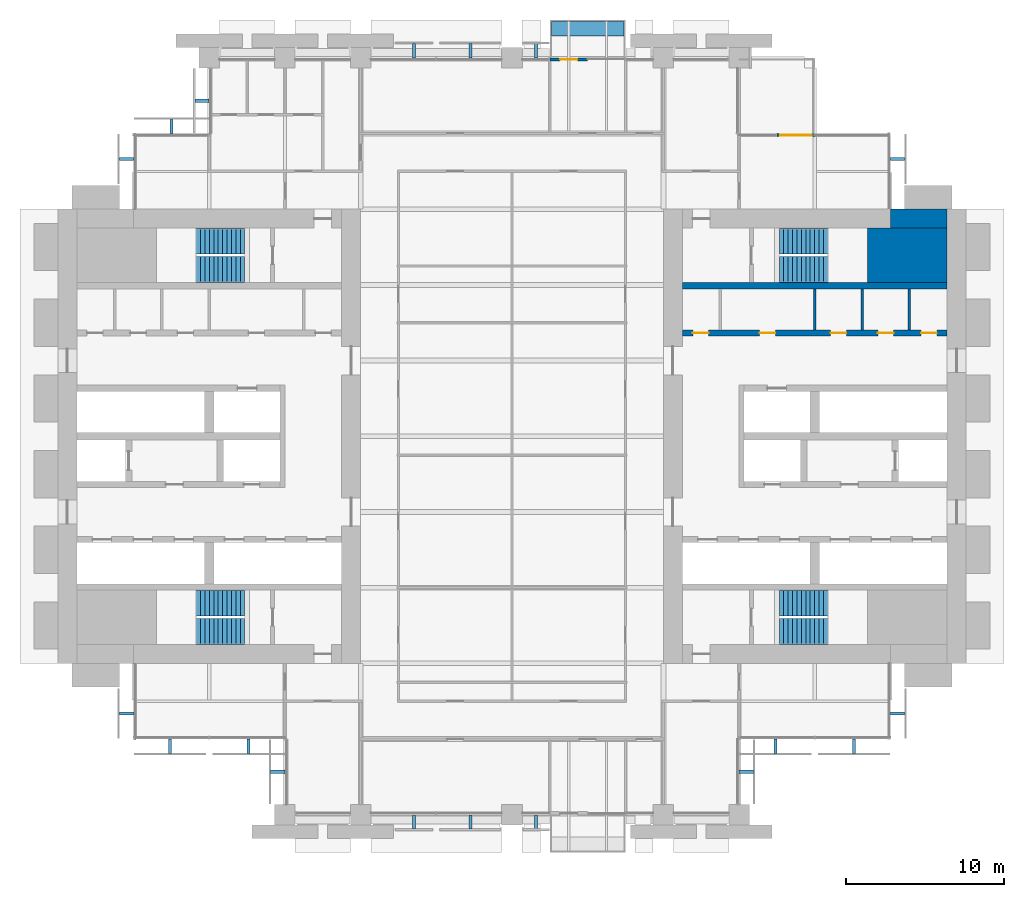
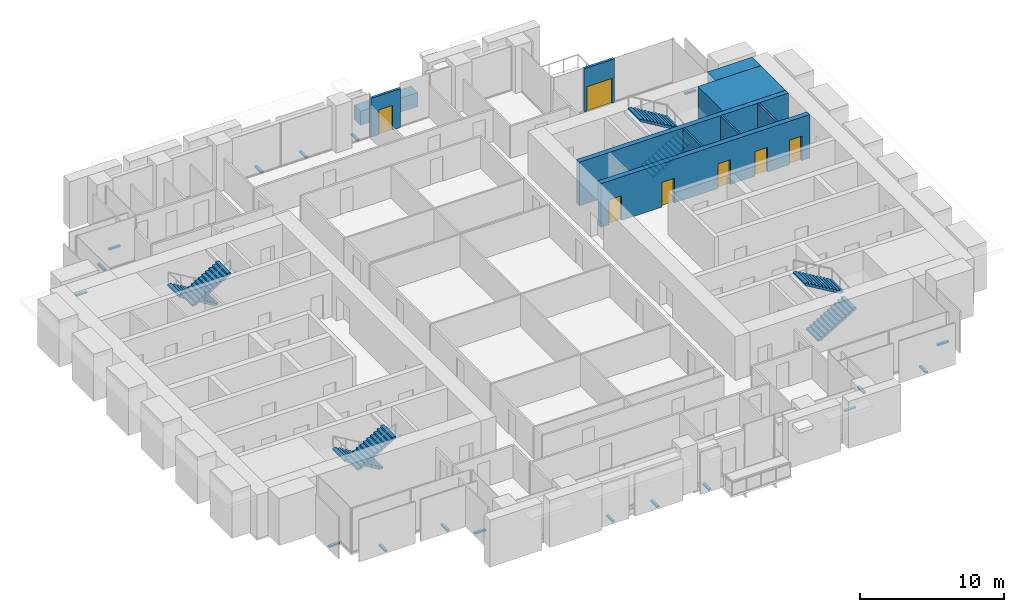
# One storey, part 13 of 15: 18 discrete accessories, 10 walls, 8 stair flights, 7 doors, 7 openings, 4 elements without a shape of their own.
"""IFC4 building model written with IfcOpenShell, lengths in metres."""

from ifc_helpers import new_model, si_unit, direction, frame, frame_2d, origin, origin_2d, place, context, subcontext, project, spatial, polyline, rectangle, outline, extrude, material, layer, layer_set, type_object, element, fill, aggregate, save


model = new_model("IFC4")

# Units and contexts
model_context = context("Model", 3, precision=1e-05, world=origin(), true_north=direction((0.0, 1.0)))
body_context = subcontext(model_context, "Body", "Model", "MODEL_VIEW")
ifc_project = project(units=[si_unit("LENGTHUNIT", "METRE"), si_unit("AREAUNIT", "SQUARE_METRE"), si_unit("VOLUMEUNIT", "CUBIC_METRE"), si_unit("PLANEANGLEUNIT", "RADIAN"), si_unit("MASSUNIT", "GRAM", prefix="KILO")], contexts=[model_context])

# Site, building, storey
site_placement = place(None, origin())
site = spatial("IfcSite", under=ifc_project, at=site_placement, CompositionType="ELEMENT")
building_placement = place(site_placement, origin())
building = spatial("IfcBuilding", under=site, at=building_placement, Name="Baori Bourse Tower", CompositionType="ELEMENT")
storey_placement = place(building_placement, frame((0.0, 0.0, 83.0)))
storey = spatial("IfcBuildingStorey", under=building, at=storey_placement, Name="L18", CompositionType="ELEMENT", Elevation=83.0)

# Walls
ifc_material_1 = material(Name="Concrete f'c 70 MPa", Category="concrete")
wall_type_1 = type_object("IfcWallType", Name="Core corner block f'c 70", PredefinedType="SHEAR", material=ifc_material_1)
wall_1_placement = place(storey_placement, frame((51.35009765625, 35.47509765625, 0.0), z_axis=(0.0, 0.0, 1.0), x_axis=(1.0, 0.0, 0.0)))
element("IfcWall", 1, at=wall_1_placement, inside=storey, type_object=wall_type_1, Name="Core wall E23", PredefinedType="SHEAR", context=body_context, shape_type="SweptSolid", body=[
    extrude(rectangle(XDim=5.0498046875, YDim=3.449951171875, at=frame_2d((2.52490234375, 0.0))), origin(), (0.0, 0.0, 1.0), 3.699951171875),
])
ifc_material_2 = material(Name="Blockwork partition", Category="masonry")
ifc_layer_1 = layer(ifc_material_2, 0.14990234375)
ifc_layer_set_1 = layer_set([ifc_layer_1], Name="Core partition 150")
wall_type_2 = type_object("IfcWallType", Name="Core partition 150", PredefinedType="PARTITIONING", material=ifc_layer_set_1)
for number, where, z_axis, x_axis, name in (
    (2, (54.0, 30.75, 0.0), (0.0, 0.0, 1.0), (0.0, 1.0, 0.0), "Partition wall E18"),
    (3, (51.0, 30.75, 0.0), (0.0, 0.0, 1.0), (0.0, 1.0, 0.0), "Partition wall E19"),
    (4, (48.0, 30.75, 0.0), (0.0, 0.0, 1.0), (0.0, 1.0, 0.0), "Partition wall E20"),
):
    element("IfcWall", number, at=place(storey_placement, frame(where, z_axis=z_axis, x_axis=x_axis)), inside=storey, type_object=wall_type_2, Name=name, PredefinedType="PARTITIONING", context=body_context, shape_type="SweptSolid", body=[
        extrude(rectangle(XDim=2.60009765625, YDim=0.14990234375, at=frame_2d((1.300048828125, 0.0))), origin(), (0.0, 0.0, 1.0), 3.699951171875),
    ])
ifc_material_3 = material(Name="Concrete f'c 70 MPa", Category="concrete")
ifc_layer_2 = layer(ifc_material_3, 1.199951171875)
ifc_layer_set_2 = layer_set([ifc_layer_2], Name="Core wall 1200 f'c 70")
wall_type_3 = type_object("IfcWallType", Name="Core wall 1200 f'c 70", PredefinedType="SHEAR", material=ifc_layer_set_2)
wall_2_placement = place(storey_placement, frame((52.800048828125, 37.800048828125, 0.0), z_axis=(0.0, 0.0, 1.0), x_axis=(1.0, 0.0, 0.0)))
element("IfcWall", 5, at=wall_2_placement, inside=storey, type_object=wall_type_3, Name="Core wall E25", PredefinedType="SHEAR", context=body_context, shape_type="SweptSolid", body=[
    extrude(rectangle(XDim=3.599853515625, YDim=1.199951171875, at=frame_2d((1.7998046875, 0.0))), origin(), (0.0, 0.0, 1.0), 3.699951171875),
])

# Wall, opening, door
ifc_material_4 = material(Name="Pale anodised aluminium", Category="aluminium")
ifc_layer_3 = layer(ifc_material_4, 0.199951171875)
ifc_layer_set_3 = layer_set([ifc_layer_3], Name="EW1 External wall bay")
wall_type_4 = type_object("IfcWallType", Name="EW1 External wall bay", PredefinedType="SOLIDWALL", material=ifc_layer_set_3)
wall_3_placement = place(storey_placement, frame((48.0, 43.10009765625, 0.0), z_axis=(0.0, 0.0, 1.0), x_axis=(-1.0, 0.0, 0.0)))
wall_3 = element("IfcWall", 6, at=wall_3_placement, inside=storey, type_object=wall_type_4, Name="External wall bay L18 1", PredefinedType="SOLIDWALL", context=body_context, shape_type="SweptSolid", body=[
    extrude(rectangle(XDim=2.39990234375, YDim=0.199951171875, at=frame_2d((1.199951171875, 0.0))), origin(), (0.0, 0.0, 1.0), 3.699951171875),
])
opening_1_placement = place(wall_3_placement, frame((0.199951171875, 0.0, 0.0)))
opening_1 = element("IfcOpeningElement", 7, at=opening_1_placement, cuts=wall_3, Name="Opening L18-D91", PredefinedType="OPENING", context=body_context, shape_type="SweptSolid", body=[
    extrude(rectangle(XDim=2.0, YDim=2.10009765625, at=frame_2d((1.0, 1.050048828125))), frame((0.0, 0.10986328125, 0.0), z_axis=(0.0, -1.0, 0.0), x_axis=(1.0, 0.0, 0.0)), (0.0, 0.0, 1.0), 0.219970703125),
])
ifc_material_5 = material(Name="Pale anodised aluminium", Category="aluminium")
door_type_1 = type_object("IfcDoorType", Name="TR1 Terrace door", OperationType="DOUBLE_DOOR_SINGLE_SWING", PredefinedType="DOOR", material=ifc_material_5)
door_1_placement = place(opening_1_placement, origin())
door_1 = element("IfcDoor", 8, at=door_1_placement, inside=storey, type_object=door_type_1, Name="Terrace door L18 1", OperationType="SINGLE_SWING_LEFT", OverallHeight=2.10009765625, OverallWidth=2.0, PredefinedType="DOOR", context=body_context, shape_type="SweptSolid", body=[
    extrude(rectangle(XDim=2.0, YDim=2.10009765625, at=frame_2d((1.0, 1.050048828125))), frame((0.0, 0.02490234375, 0.0), z_axis=(0.0, -1.0, 0.0), x_axis=(1.0, 0.0, 0.0)), (0.0, 0.0, 1.0), 0.050048828125),
])
fill(opening_1, door_1)

wall_4_placement = place(storey_placement, frame((33.60009765625, 47.89990234375, 0.0), z_axis=(0.0, 0.0, 1.0), x_axis=(-1.0, 0.0, 0.0)))
wall_4 = element("IfcWall", 9, at=wall_4_placement, inside=storey, type_object=wall_type_4, Name="External wall bay L18 2", PredefinedType="SOLIDWALL", context=body_context, shape_type="SweptSolid", body=[
    extrude(rectangle(XDim=2.400146484375, YDim=0.199951171875, at=frame_2d((1.2001953125, 0.0))), origin(), (0.0, 0.0, 1.0), 3.30126953125),
])
opening_2_placement = place(wall_4_placement, frame((0.64990234375, 0.0, 0.0)))
opening_2 = element("IfcOpeningElement", 10, at=opening_2_placement, cuts=wall_4, Name="Opening L18-D92", PredefinedType="OPENING", context=body_context, shape_type="SweptSolid", body=[
    extrude(rectangle(XDim=1.10009765625, YDim=2.10009765625, at=frame_2d((0.550048828125, 1.050048828125))), frame((0.0, 0.10986328125, 0.0), z_axis=(0.0, -1.0, 0.0), x_axis=(1.0, 0.0, 0.0)), (0.0, 0.0, 1.0), 0.219970703125),
])
ifc_material_6 = material(Name="Pale anodised aluminium", Category="aluminium")
door_type_2 = type_object("IfcDoorType", Name="BL1 Balcony door", OperationType="SINGLE_SWING_LEFT", PredefinedType="DOOR", material=ifc_material_6)
door_2_placement = place(opening_2_placement, origin())
door_2 = element("IfcDoor", 11, at=door_2_placement, inside=storey, type_object=door_type_2, Name="Balcony door L18 2", OperationType="SINGLE_SWING_LEFT", OverallHeight=2.10009765625, OverallWidth=1.10009765625, PredefinedType="DOOR", context=body_context, shape_type="SweptSolid", body=[
    extrude(rectangle(XDim=1.10009765625, YDim=2.10009765625, at=frame_2d((0.550048828125, 1.050048828125))), frame((0.0, 0.02490234375, 0.0), z_axis=(0.0, -1.0, 0.0), x_axis=(1.0, 0.0, 0.0)), (0.0, 0.0, 1.0), 0.050048828125),
])
fill(opening_2, door_2)

# Wall
ifc_material_7 = material(Name="Concrete f'c 40 MPa", Category="concrete")
ifc_layer_4 = layer(ifc_material_7, 0.89990234375)
ifc_layer_set_4 = layer_set([ifc_layer_4], Name="PW1 Planter wall")
wall_type_5 = type_object("IfcWallType", Name="PW1 Planter wall", PredefinedType="USERDEFINED", material=ifc_layer_set_4)
wall_5_placement = place(storey_placement, frame((31.300048828125, 49.85009765625, 0.0), z_axis=(0.0, 0.0, 1.0), x_axis=(1.0, 0.0, 0.0)))
element("IfcWall", 12, at=wall_5_placement, inside=storey, type_object=wall_type_5, Name="Planter balcony N L18 2", ObjectType="PLANTER", PredefinedType="USERDEFINED", context=body_context, shape_type="SweptSolid", body=[
    extrude(rectangle(XDim=4.599853515625, YDim=0.89990234375, at=frame_2d((2.2998046875, 0.0))), origin(), (0.0, 0.0, 1.0), 1.199951171875),
])

# Wall, openings, doors
ifc_material_8 = material(Name="Concrete f'c 70 MPa", Category="concrete")
ifc_layer_5 = layer(ifc_material_8, 0.39990234375)
ifc_layer_set_5 = layer_set([ifc_layer_5], Name="Shaft wall 400 f'c 70")
wall_type_6 = type_object("IfcWallType", Name="Shaft wall 400 f'c 70", PredefinedType="SHEAR", material=ifc_layer_set_5)
wall_6_placement = place(storey_placement, frame((39.60009765625, 30.550048828125, 0.0), z_axis=(0.0, 0.0, 1.0), x_axis=(1.0, 0.0, 0.0)))
wall_6 = element("IfcWall", 13, at=wall_6_placement, inside=storey, type_object=wall_type_6, Name="Core wall E17", PredefinedType="SHEAR", context=body_context, shape_type="SweptSolid", body=[
    extrude(rectangle(XDim=16.7998046875, YDim=0.39990234375, at=frame_2d((8.39990234375, 0.0))), origin(), (0.0, 0.0, 1.0), 3.699951171875),
])
opening_3_placement = place(wall_6_placement, frame((15.137451171875, 0.0, 0.0)))
opening_3 = element("IfcOpeningElement", 14, at=opening_3_placement, cuts=wall_6, Name="Opening L18-D209", PredefinedType="OPENING", context=body_context, shape_type="SweptSolid", body=[
    extrude(rectangle(XDim=1.0, YDim=2.10009765625, at=frame_2d((0.5, 1.050048828125))), frame((0.0, 0.2099609375, 0.0), z_axis=(0.0, -1.0, 0.0), x_axis=(1.0, 0.0, 0.0)), (0.0, 0.0, 1.0), 0.419921875),
])
opening_4_placement = place(wall_6_placement, frame((12.39990234375, 0.0, 0.0)))
opening_4 = element("IfcOpeningElement", 15, at=opening_4_placement, cuts=wall_6, Name="Opening L18-D210", PredefinedType="OPENING", context=body_context, shape_type="SweptSolid", body=[
    extrude(rectangle(XDim=1.0, YDim=2.10009765625, at=frame_2d((0.5, 1.050048828125))), frame((0.0, 0.2099609375, 0.0), z_axis=(0.0, -1.0, 0.0), x_axis=(1.0, 0.0, 0.0)), (0.0, 0.0, 1.0), 0.419921875),
])
opening_5_placement = place(wall_6_placement, frame((9.39990234375, 0.0, 0.0)))
opening_5 = element("IfcOpeningElement", 16, at=opening_5_placement, cuts=wall_6, Name="Opening L18-D211", PredefinedType="OPENING", context=body_context, shape_type="SweptSolid", body=[
    extrude(rectangle(XDim=1.0, YDim=2.10009765625, at=frame_2d((0.5, 1.050048828125))), frame((0.0, 0.2099609375, 0.0), z_axis=(0.0, -1.0, 0.0), x_axis=(1.0, 0.0, 0.0)), (0.0, 0.0, 1.0), 0.419921875),
])
opening_6_placement = place(wall_6_placement, frame((4.89990234375, 0.0, 0.0)))
opening_6 = element("IfcOpeningElement", 17, at=opening_6_placement, cuts=wall_6, Name="Opening L18-D212", PredefinedType="OPENING", context=body_context, shape_type="SweptSolid", body=[
    extrude(rectangle(XDim=1.0, YDim=2.10009765625, at=frame_2d((0.5, 1.050048828125))), frame((0.0, 0.2099609375, 0.0), z_axis=(0.0, -1.0, 0.0), x_axis=(1.0, 0.0, 0.0)), (0.0, 0.0, 1.0), 0.419921875),
])
opening_7_placement = place(wall_6_placement, frame((0.66259765625, 0.0, 0.0)))
opening_7 = element("IfcOpeningElement", 18, at=opening_7_placement, cuts=wall_6, Name="Opening L18-D213", PredefinedType="OPENING", context=body_context, shape_type="SweptSolid", body=[
    extrude(rectangle(XDim=1.0, YDim=2.10009765625, at=frame_2d((0.5, 1.050048828125))), frame((0.0, 0.2099609375, 0.0), z_axis=(0.0, -1.0, 0.0), x_axis=(1.0, 0.0, 0.0)), (0.0, 0.0, 1.0), 0.419921875),
])
ifc_material_9 = material(Name="Painted steel door", Category="steel")
door_type_3 = type_object("IfcDoorType", Name="Core door 1000", OperationType="SINGLE_SWING_LEFT", PredefinedType="DOOR", material=ifc_material_9)
door_3_placement = place(opening_3_placement, origin())
door_3 = element("IfcDoor", 19, at=door_3_placement, inside=storey, type_object=door_type_3, Name="Janitor'S Closet door E L18", OperationType="SINGLE_SWING_LEFT", OverallHeight=2.10009765625, OverallWidth=1.0, PredefinedType="DOOR", context=body_context, shape_type="SweptSolid", body=[
    extrude(rectangle(XDim=1.0, YDim=2.10009765625, at=frame_2d((0.5, 1.050048828125))), frame((0.0, 0.02490234375, 0.0), z_axis=(0.0, -1.0, 0.0), x_axis=(1.0, 0.0, 0.0)), (0.0, 0.0, 1.0), 0.050048828125),
])
fill(opening_3, door_3)
door_4_placement = place(opening_4_placement, origin())
door_4 = element("IfcDoor", 20, at=door_4_placement, inside=storey, type_object=door_type_3, Name="Women'S Wc door E L18", OperationType="SINGLE_SWING_LEFT", OverallHeight=2.10009765625, OverallWidth=1.0, PredefinedType="DOOR", context=body_context, shape_type="SweptSolid", body=[
    extrude(rectangle(XDim=1.0, YDim=2.10009765625, at=frame_2d((0.5, 1.050048828125))), frame((0.0, 0.02490234375, 0.0), z_axis=(0.0, -1.0, 0.0), x_axis=(1.0, 0.0, 0.0)), (0.0, 0.0, 1.0), 0.050048828125),
])
fill(opening_4, door_4)
door_5_placement = place(opening_5_placement, origin())
door_5 = element("IfcDoor", 21, at=door_5_placement, inside=storey, type_object=door_type_3, Name="Accessible Wc door E L18", OperationType="SINGLE_SWING_LEFT", OverallHeight=2.10009765625, OverallWidth=1.0, PredefinedType="DOOR", context=body_context, shape_type="SweptSolid", body=[
    extrude(rectangle(XDim=1.0, YDim=2.10009765625, at=frame_2d((0.5, 1.050048828125))), frame((0.0, 0.02490234375, 0.0), z_axis=(0.0, -1.0, 0.0), x_axis=(1.0, 0.0, 0.0)), (0.0, 0.0, 1.0), 0.050048828125),
])
fill(opening_5, door_5)
door_6_placement = place(opening_6_placement, origin())
door_6 = element("IfcDoor", 22, at=door_6_placement, inside=storey, type_object=door_type_3, Name="Men'S Wc door E L18", OperationType="SINGLE_SWING_LEFT", OverallHeight=2.10009765625, OverallWidth=1.0, PredefinedType="DOOR", context=body_context, shape_type="SweptSolid", body=[
    extrude(rectangle(XDim=1.0, YDim=2.10009765625, at=frame_2d((0.5, 1.050048828125))), frame((0.0, 0.02490234375, 0.0), z_axis=(0.0, -1.0, 0.0), x_axis=(1.0, 0.0, 0.0)), (0.0, 0.0, 1.0), 0.050048828125),
])
fill(opening_6, door_6)
door_7_placement = place(opening_7_placement, origin())
door_7 = element("IfcDoor", 23, at=door_7_placement, inside=storey, type_object=door_type_3, Name="Pantry door E L18", OperationType="SINGLE_SWING_LEFT", OverallHeight=2.10009765625, OverallWidth=1.0, PredefinedType="DOOR", context=body_context, shape_type="SweptSolid", body=[
    extrude(rectangle(XDim=1.0, YDim=2.10009765625, at=frame_2d((0.5, 1.050048828125))), frame((0.0, 0.02490234375, 0.0), z_axis=(0.0, -1.0, 0.0), x_axis=(1.0, 0.0, 0.0)), (0.0, 0.0, 1.0), 0.050048828125),
])
fill(opening_7, door_7)

# Wall
wall_7_placement = place(storey_placement, frame((39.60009765625, 33.550048828125, 0.0), z_axis=(0.0, 0.0, 1.0), x_axis=(1.0, 0.0, 0.0)))
element("IfcWall", 24, at=wall_7_placement, inside=storey, type_object=wall_type_6, Name="Core wall E22", PredefinedType="SHEAR", context=body_context, shape_type="SweptSolid", body=[
    extrude(rectangle(XDim=16.7998046875, YDim=0.39990234375, at=frame_2d((8.39990234375, 0.0))), origin(), (0.0, 0.0, 1.0), 3.699951171875),
])

# Stair, stair flights
ifc_material_10 = material(Name="Concrete f'c 50 MPa", Category="concrete")
stair_type = type_object("IfcStairType", Name="Core stair", PredefinedType="HALF_TURN_STAIR", material=ifc_material_10)
stair_1_placement = place(storey_placement, origin())
stair_1 = element("IfcStair", 25, at=stair_1_placement, inside=storey, type_object=stair_type, Name="L18 Stair WA", PredefinedType="HALF_TURN_STAIR")
ifc_material_11 = material(Name="Concrete f'c 50 MPa", Category="concrete")
stair_flight_type = type_object("IfcStairFlightType", Name="Core stair flight", PredefinedType="STRAIGHT", material=ifc_material_11)
stair_flight_1_placement = place(storey_placement, frame((11.85009765625, 13.425048828125, 0.0), z_axis=(0.0, 0.0, 1.0), x_axis=(-1.0, 0.0, 0.0)))
stair_flight_1 = element("IfcStairFlight", 26, at=stair_flight_1_placement, type_object=stair_flight_type, Name="ST1 flight 1", NumberOfRisers=12, NumberOfTreads=11, PredefinedType="STRAIGHT", RiserHeight=0.166666667, TreadLength=0.28, context=body_context, shape_type="SweptSolid", body=[
    extrude(outline(polyline([(0.0, 0.0), (0.0, 0.166748046875), (0.280029296875, 0.166748046875), (0.280029296875, 0.333251953125), (0.56005859375, 0.333251953125), (0.56005859375, 0.5), (0.840087890625, 0.5), (0.840087890625, 0.666748046875), (1.1201171875, 0.666748046875), (1.1201171875, 0.833251953125), (1.39990234375, 0.833251953125), (1.39990234375, 1.0), (1.679931640625, 1.0), (1.679931640625, 1.166748046875), (1.9599609375, 1.166748046875), (1.9599609375, 1.333251953125), (2.239990234375, 1.333251953125), (2.239990234375, 1.5), (2.52001953125, 1.5), (2.52001953125, 1.666748046875), (2.800048828125, 1.666748046875), (2.800048828125, 1.833251953125), (3.080078125, 1.833251953125), (3.080078125, 2.0), (3.080078125, 1.658935546875), (0.29296875, 0.0), (0.0, 0.0)])), frame((0.0, 0.824951171875, 0.0), z_axis=(0.0, -1.0, 0.0), x_axis=(1.0, 0.0, 0.0)), (0.0, 0.0, 1.0), 1.64990234375),
])
stair_flight_2_placement = place(storey_placement, frame((8.77001953125, 11.625, 2.0), z_axis=(0.0, 0.0, 1.0), x_axis=(1.0, 0.0, 0.0)))
stair_flight_2 = element("IfcStairFlight", 27, at=stair_flight_2_placement, type_object=stair_flight_type, Name="ST1 flight 2", NumberOfRisers=12, NumberOfTreads=11, PredefinedType="STRAIGHT", RiserHeight=0.166666667, TreadLength=0.28, context=body_context, shape_type="SweptSolid", body=[
    extrude(outline(polyline([(0.0, 0.0), (0.0, 0.166748046875), (0.280029296875, 0.166748046875), (0.280029296875, 0.333251953125), (0.56005859375, 0.333251953125), (0.56005859375, 0.5), (0.840087890625, 0.5), (0.840087890625, 0.666748046875), (1.1201171875, 0.666748046875), (1.1201171875, 0.833251953125), (1.39990234375, 0.833251953125), (1.39990234375, 1.0), (1.679931640625, 1.0), (1.679931640625, 1.166748046875), (1.9599609375, 1.166748046875), (1.9599609375, 1.333251953125), (2.239990234375, 1.333251953125), (2.239990234375, 1.5), (2.52001953125, 1.5), (2.52001953125, 1.666748046875), (2.800048828125, 1.666748046875), (2.800048828125, 1.833251953125), (3.080078125, 1.833251953125), (3.080078125, 2.0), (3.080078125, 1.658935546875), (0.29296875, 0.0), (0.0, 0.0)])), frame((0.0, 0.824951171875, 0.0), z_axis=(0.0, -1.0, 0.0), x_axis=(1.0, 0.0, 0.0)), (0.0, 0.0, 1.0), 1.64990234375),
])
aggregate(stair_1, [stair_flight_1, stair_flight_2])

stair_2_placement = place(storey_placement, origin())
stair_2 = element("IfcStair", 28, at=stair_2_placement, inside=storey, type_object=stair_type, Name="L18 Stair WB", PredefinedType="HALF_TURN_STAIR")
stair_flight_3_placement = place(storey_placement, frame((11.85009765625, 36.375, 0.0), z_axis=(0.0, 0.0, 1.0), x_axis=(-1.0, 0.0, 0.0)))
stair_flight_3 = element("IfcStairFlight", 29, at=stair_flight_3_placement, type_object=stair_flight_type, Name="ST2 flight 1", NumberOfRisers=12, NumberOfTreads=11, PredefinedType="STRAIGHT", RiserHeight=0.166666667, TreadLength=0.28, context=body_context, shape_type="SweptSolid", body=[
    extrude(outline(polyline([(0.0, 0.0), (0.0, 0.166748046875), (0.280029296875, 0.166748046875), (0.280029296875, 0.333251953125), (0.56005859375, 0.333251953125), (0.56005859375, 0.5), (0.840087890625, 0.5), (0.840087890625, 0.666748046875), (1.1201171875, 0.666748046875), (1.1201171875, 0.833251953125), (1.39990234375, 0.833251953125), (1.39990234375, 1.0), (1.679931640625, 1.0), (1.679931640625, 1.166748046875), (1.9599609375, 1.166748046875), (1.9599609375, 1.333251953125), (2.239990234375, 1.333251953125), (2.239990234375, 1.5), (2.52001953125, 1.5), (2.52001953125, 1.666748046875), (2.800048828125, 1.666748046875), (2.800048828125, 1.833251953125), (3.080078125, 1.833251953125), (3.080078125, 2.0), (3.080078125, 1.658935546875), (0.29296875, 0.0), (0.0, 0.0)])), frame((0.0, 0.824951171875, 0.0), z_axis=(0.0, -1.0, 0.0), x_axis=(1.0, 0.0, 0.0)), (0.0, 0.0, 1.0), 1.64990234375),
])
stair_flight_4_placement = place(storey_placement, frame((8.77001953125, 34.574951171875, 2.0), z_axis=(0.0, 0.0, 1.0), x_axis=(1.0, 0.0, 0.0)))
stair_flight_4 = element("IfcStairFlight", 30, at=stair_flight_4_placement, type_object=stair_flight_type, Name="ST2 flight 2", NumberOfRisers=12, NumberOfTreads=11, PredefinedType="STRAIGHT", RiserHeight=0.166666667, TreadLength=0.28, context=body_context, shape_type="SweptSolid", body=[
    extrude(outline(polyline([(0.0, 0.0), (0.0, 0.166748046875), (0.280029296875, 0.166748046875), (0.280029296875, 0.333251953125), (0.56005859375, 0.333251953125), (0.56005859375, 0.5), (0.840087890625, 0.5), (0.840087890625, 0.666748046875), (1.1201171875, 0.666748046875), (1.1201171875, 0.833251953125), (1.39990234375, 0.833251953125), (1.39990234375, 1.0), (1.679931640625, 1.0), (1.679931640625, 1.166748046875), (1.9599609375, 1.166748046875), (1.9599609375, 1.333251953125), (2.239990234375, 1.333251953125), (2.239990234375, 1.5), (2.52001953125, 1.5), (2.52001953125, 1.666748046875), (2.800048828125, 1.666748046875), (2.800048828125, 1.833251953125), (3.080078125, 1.833251953125), (3.080078125, 2.0), (3.080078125, 1.658935546875), (0.29296875, 0.0), (0.0, 0.0)])), frame((0.0, 0.824951171875, 0.0), z_axis=(0.0, -1.0, 0.0), x_axis=(1.0, 0.0, 0.0)), (0.0, 0.0, 1.0), 1.64990234375),
])
aggregate(stair_2, [stair_flight_3, stair_flight_4])

stair_3_placement = place(storey_placement, origin())
stair_3 = element("IfcStair", 31, at=stair_3_placement, inside=storey, type_object=stair_type, Name="L18 Stair EA", PredefinedType="HALF_TURN_STAIR")
stair_flight_5_placement = place(storey_placement, frame((45.75, 11.625, 0.0), z_axis=(0.0, 0.0, 1.0), x_axis=(1.0, 0.0, 0.0)))
stair_flight_5 = element("IfcStairFlight", 32, at=stair_flight_5_placement, type_object=stair_flight_type, Name="ST3 flight 1", NumberOfRisers=12, NumberOfTreads=11, PredefinedType="STRAIGHT", RiserHeight=0.166666667, TreadLength=0.28, context=body_context, shape_type="SweptSolid", body=[
    extrude(outline(polyline([(0.0, 0.0), (0.0, 0.166748046875), (0.280029296875, 0.166748046875), (0.280029296875, 0.333251953125), (0.56005859375, 0.333251953125), (0.56005859375, 0.5), (0.840087890625, 0.5), (0.840087890625, 0.666748046875), (1.1201171875, 0.666748046875), (1.1201171875, 0.833251953125), (1.39990234375, 0.833251953125), (1.39990234375, 1.0), (1.679931640625, 1.0), (1.679931640625, 1.166748046875), (1.9599609375, 1.166748046875), (1.9599609375, 1.333251953125), (2.239990234375, 1.333251953125), (2.239990234375, 1.5), (2.52001953125, 1.5), (2.52001953125, 1.666748046875), (2.800048828125, 1.666748046875), (2.800048828125, 1.833251953125), (3.080078125, 1.833251953125), (3.080078125, 2.0), (3.080078125, 1.658935546875), (0.29296875, 0.0), (0.0, 0.0)])), frame((0.0, 0.824951171875, 0.0), z_axis=(0.0, -1.0, 0.0), x_axis=(1.0, 0.0, 0.0)), (0.0, 0.0, 1.0), 1.64990234375),
])
stair_flight_6_placement = place(storey_placement, frame((48.830078125, 13.425048828125, 2.0), z_axis=(0.0, 0.0, 1.0), x_axis=(-1.0, 0.0, 0.0)))
stair_flight_6 = element("IfcStairFlight", 33, at=stair_flight_6_placement, type_object=stair_flight_type, Name="ST3 flight 2", NumberOfRisers=12, NumberOfTreads=11, PredefinedType="STRAIGHT", RiserHeight=0.166666667, TreadLength=0.28, context=body_context, shape_type="SweptSolid", body=[
    extrude(outline(polyline([(0.0, 0.0), (0.0, 0.166748046875), (0.280029296875, 0.166748046875), (0.280029296875, 0.333251953125), (0.56005859375, 0.333251953125), (0.56005859375, 0.5), (0.840087890625, 0.5), (0.840087890625, 0.666748046875), (1.1201171875, 0.666748046875), (1.1201171875, 0.833251953125), (1.39990234375, 0.833251953125), (1.39990234375, 1.0), (1.679931640625, 1.0), (1.679931640625, 1.166748046875), (1.9599609375, 1.166748046875), (1.9599609375, 1.333251953125), (2.239990234375, 1.333251953125), (2.239990234375, 1.5), (2.52001953125, 1.5), (2.52001953125, 1.666748046875), (2.800048828125, 1.666748046875), (2.800048828125, 1.833251953125), (3.080078125, 1.833251953125), (3.080078125, 2.0), (3.080078125, 1.658935546875), (0.29296875, 0.0), (0.0, 0.0)])), frame((0.0, 0.824951171875, 0.0), z_axis=(0.0, -1.0, 0.0), x_axis=(1.0, 0.0, 0.0)), (0.0, 0.0, 1.0), 1.64990234375),
])
aggregate(stair_3, [stair_flight_5, stair_flight_6])

stair_4_placement = place(storey_placement, origin())
stair_4 = element("IfcStair", 34, at=stair_4_placement, inside=storey, type_object=stair_type, Name="L18 Stair EB", PredefinedType="HALF_TURN_STAIR")
stair_flight_7_placement = place(storey_placement, frame((45.75, 34.574951171875, 0.0), z_axis=(0.0, 0.0, 1.0), x_axis=(1.0, 0.0, 0.0)))
stair_flight_7 = element("IfcStairFlight", 35, at=stair_flight_7_placement, type_object=stair_flight_type, Name="ST4 flight 1", NumberOfRisers=12, NumberOfTreads=11, PredefinedType="STRAIGHT", RiserHeight=0.166666667, TreadLength=0.28, context=body_context, shape_type="SweptSolid", body=[
    extrude(outline(polyline([(0.0, 0.0), (0.0, 0.166748046875), (0.280029296875, 0.166748046875), (0.280029296875, 0.333251953125), (0.56005859375, 0.333251953125), (0.56005859375, 0.5), (0.840087890625, 0.5), (0.840087890625, 0.666748046875), (1.1201171875, 0.666748046875), (1.1201171875, 0.833251953125), (1.39990234375, 0.833251953125), (1.39990234375, 1.0), (1.679931640625, 1.0), (1.679931640625, 1.166748046875), (1.9599609375, 1.166748046875), (1.9599609375, 1.333251953125), (2.239990234375, 1.333251953125), (2.239990234375, 1.5), (2.52001953125, 1.5), (2.52001953125, 1.666748046875), (2.800048828125, 1.666748046875), (2.800048828125, 1.833251953125), (3.080078125, 1.833251953125), (3.080078125, 2.0), (3.080078125, 1.658935546875), (0.29296875, 0.0), (0.0, 0.0)])), frame((0.0, 0.824951171875, 0.0), z_axis=(0.0, -1.0, 0.0), x_axis=(1.0, 0.0, 0.0)), (0.0, 0.0, 1.0), 1.64990234375),
])
stair_flight_8_placement = place(storey_placement, frame((48.830078125, 36.375, 2.0), z_axis=(0.0, 0.0, 1.0), x_axis=(-1.0, 0.0, 0.0)))
stair_flight_8 = element("IfcStairFlight", 36, at=stair_flight_8_placement, type_object=stair_flight_type, Name="ST4 flight 2", NumberOfRisers=12, NumberOfTreads=11, PredefinedType="STRAIGHT", RiserHeight=0.166666667, TreadLength=0.28, context=body_context, shape_type="SweptSolid", body=[
    extrude(outline(polyline([(0.0, 0.0), (0.0, 0.166748046875), (0.280029296875, 0.166748046875), (0.280029296875, 0.333251953125), (0.56005859375, 0.333251953125), (0.56005859375, 0.5), (0.840087890625, 0.5), (0.840087890625, 0.666748046875), (1.1201171875, 0.666748046875), (1.1201171875, 0.833251953125), (1.39990234375, 0.833251953125), (1.39990234375, 1.0), (1.679931640625, 1.0), (1.679931640625, 1.166748046875), (1.9599609375, 1.166748046875), (1.9599609375, 1.333251953125), (2.239990234375, 1.333251953125), (2.239990234375, 1.5), (2.52001953125, 1.5), (2.52001953125, 1.666748046875), (2.800048828125, 1.666748046875), (2.800048828125, 1.833251953125), (3.080078125, 1.833251953125), (3.080078125, 2.0), (3.080078125, 1.658935546875), (0.29296875, 0.0), (0.0, 0.0)])), frame((0.0, 0.824951171875, 0.0), z_axis=(0.0, -1.0, 0.0), x_axis=(1.0, 0.0, 0.0)), (0.0, 0.0, 1.0), 1.64990234375),
])
aggregate(stair_4, [stair_flight_7, stair_flight_8])

# Discrete accessories
ifc_material_12 = material(Name="Pale anodised aluminium", Category="aluminium")
discrete_accessory_type = type_object("IfcDiscreteAccessoryType", Name="OS2 Outer skin bracket", PredefinedType="BRACKET", material=ifc_material_12)
for number, where, z_axis, x_axis, name in (
    (37, (53.25, 41.574951171875, -0.14404296875), (0.0, 0.0, 1.0), (0.0, 1.0, 0.0), "Outer skin bracket L18 1"),
    (38, (30.324951171875, 48.449951171875, -0.14404296875), (0.0, 0.0, 1.0), (-1.0, 0.0, 0.0), "Outer skin bracket L18 2"),
    (39, (26.16259765625, 48.449951171875, -0.14404296875), (0.0, 0.0, 1.0), (-1.0, 0.0, 0.0), "Outer skin bracket L18 3"),
    (40, (22.58740234375, 48.449951171875, -0.14404296875), (0.0, 0.0, 1.0), (-1.0, 0.0, 0.0), "Outer skin bracket L18 4"),
    (41, (9.14990234375, 45.27490234375, -0.14404296875), (0.0, 0.0, 1.0), (0.0, -1.0, 0.0), "Outer skin bracket L18 5"),
    (42, (7.199951171875, 43.64990234375, -0.14404296875), (0.0, 0.0, 1.0), (-1.0, 0.0, 0.0), "Outer skin bracket L18 6"),
    (43, (4.35009765625, 41.574951171875, -0.14404296875), (0.0, 0.0, 1.0), (0.0, -1.0, 0.0), "Outer skin bracket L18 7"),
    (44, (4.35009765625, 6.425048828125, -0.14404296875), (0.0, 0.0, 1.0), (0.0, -1.0, 0.0), "Outer skin bracket L18 8"),
    (45, (7.112548828125, 4.35009765625, -0.14404296875), (0.0, 0.0, 1.0), (1.0, 0.0, 0.0), "Outer skin bracket L18 9"),
    (46, (12.08740234375, 4.35009765625, -0.14404296875), (0.0, 0.0, 1.0), (1.0, 0.0, 0.0), "Outer skin bracket L18 10"),
    (47, (13.949951171875, 2.72509765625, -0.14404296875), (0.0, 0.0, 1.0), (0.0, -1.0, 0.0), "Outer skin bracket L18 11"),
    (48, (22.58740234375, -0.449951171875, -0.14404296875), (0.0, 0.0, 1.0), (1.0, 0.0, 0.0), "Outer skin bracket L18 12"),
    (49, (26.16259765625, -0.449951171875, -0.14404296875), (0.0, 0.0, 1.0), (1.0, 0.0, 0.0), "Outer skin bracket L18 13"),
    (50, (30.324951171875, -0.449951171875, -0.14404296875), (0.0, 0.0, 1.0), (1.0, 0.0, 0.0), "Outer skin bracket L18 14"),
    (51, (43.64990234375, 2.72509765625, -0.14404296875), (0.0, 0.0, 1.0), (0.0, 1.0, 0.0), "Outer skin bracket L18 15"),
    (52, (45.512451171875, 4.35009765625, -0.14404296875), (0.0, 0.0, 1.0), (1.0, 0.0, 0.0), "Outer skin bracket L18 16"),
    (53, (50.487548828125, 4.35009765625, -0.14404296875), (0.0, 0.0, 1.0), (1.0, 0.0, 0.0), "Outer skin bracket L18 17"),
    (54, (53.25, 6.425048828125, -0.14404296875), (0.0, 0.0, 1.0), (0.0, 1.0, 0.0), "Outer skin bracket L18 18"),
):
    element("IfcDiscreteAccessory", number, at=place(storey_placement, frame(where, z_axis=z_axis, x_axis=x_axis)), inside=storey, type_object=discrete_accessory_type, Name=name, PredefinedType="BRACKET", context=body_context, shape_type="SweptSolid", body=[
        extrude(rectangle(XDim=0.199951171875, YDim=0.89990234375, at=origin_2d()), origin(), (0.0, 0.0, 1.0), 0.1279296875),
    ])

save(model, "model.ifc")
